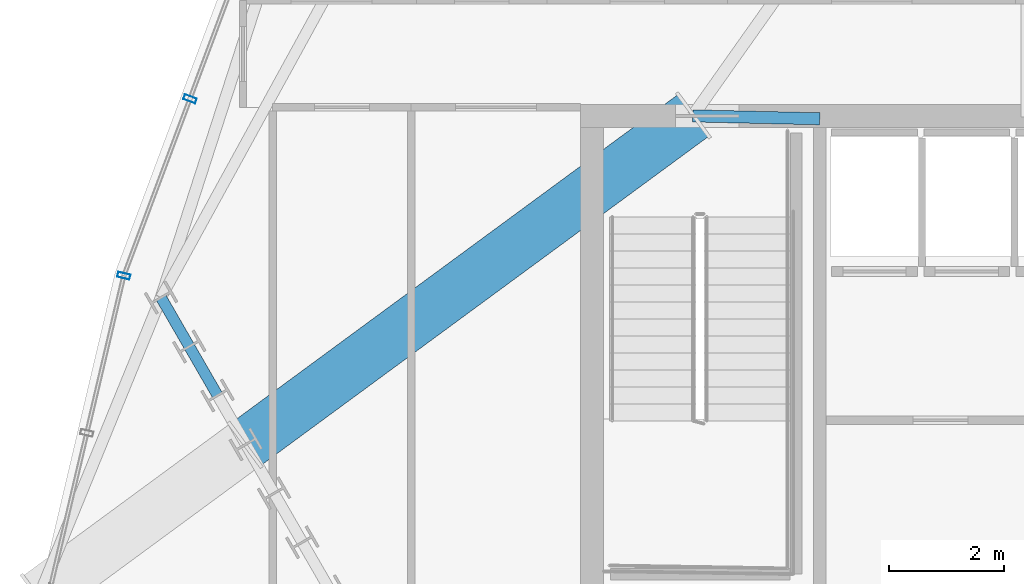
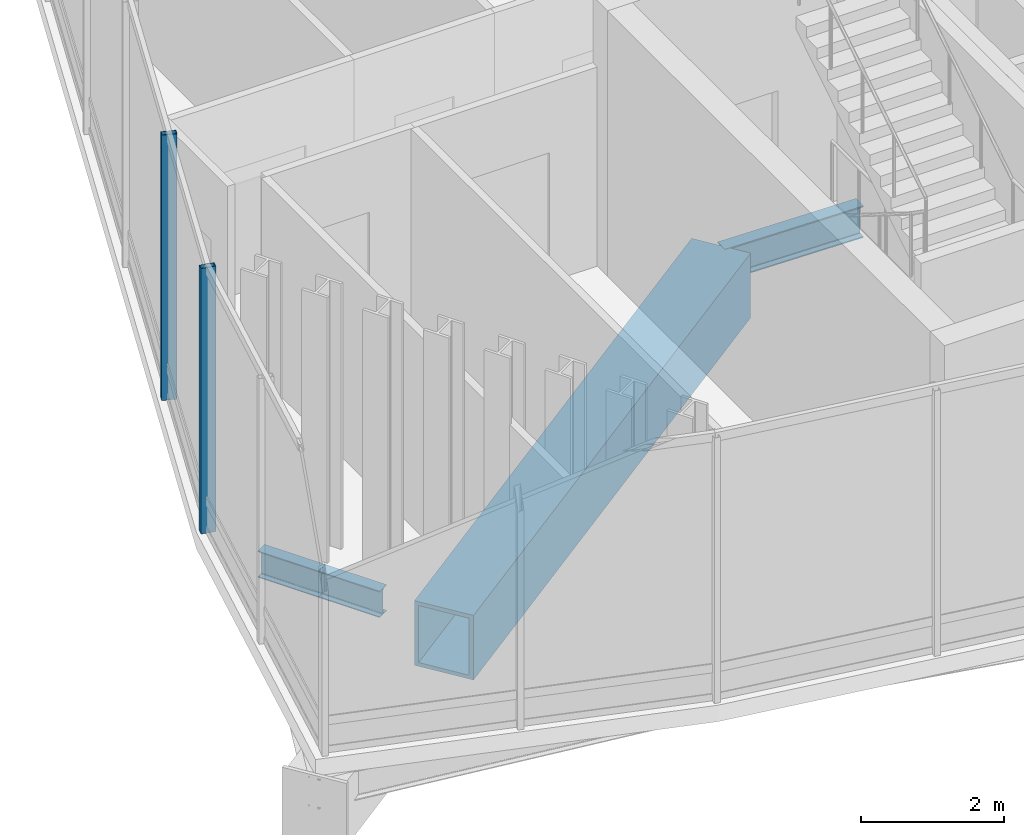
# One storey, part 4 of 29: 4 beams, 2 members, 2 elements without a shape of their own.
"""IFC4 building model written with IfcOpenShell, lengths in metres."""

from ifc_helpers import new_model, si_unit, direction, frame, origin, origin_2d, place, context, subcontext, project, spatial, hollow_rectangle, i_section, extrude, material, layer, layer_set, material_profile, profile_set, type_object, element, aggregate, save


model = new_model("IFC4")

# Units and contexts
model_context = context("Model", 3, precision=1e-05, world=origin(), true_north=direction((0.0, 1.0)))
body_context = subcontext(model_context, "Body", "Model", "MODEL_VIEW")
ifc_project = project(units=[si_unit("LENGTHUNIT", "METRE"), si_unit("AREAUNIT", "SQUARE_METRE"), si_unit("VOLUMEUNIT", "CUBIC_METRE"), si_unit("PLANEANGLEUNIT", "RADIAN"), si_unit("MASSUNIT", "GRAM", prefix="KILO")], contexts=[model_context])

# Site, building, storey
site_placement = place(None, origin())
site = spatial("IfcSite", under=ifc_project, at=site_placement, CompositionType="ELEMENT")
building_placement = place(site_placement, origin())
building = spatial("IfcBuilding", under=site, at=building_placement, Name="Ndaravel Arena Tower", CompositionType="ELEMENT")
storey_placement = place(building_placement, frame((0.0, 0.0, 208.39990234375)))
storey = spatial("IfcBuildingStorey", under=building, at=storey_placement, Name="L50", CompositionType="ELEMENT", Elevation=208.39990234375)

# Beams
ifc_material_1 = material(Name="Steel S355", Category="steel")
ifc_material_profile_1 = material_profile(ifc_material_1, i_section(OverallWidth=0.210693359375, OverallDepth=0.53955078125, WebThickness=0.01171875, FlangeThickness=0.018798828125, FilletRadius=0.0126953125, at=origin_2d()), Name="UB 533x210x109")
ifc_profile_set_1 = profile_set([ifc_material_profile_1], Name="Steel S355")
beam_type_1 = type_object("IfcBeamType", Name="BM-GIRD-UB533", PredefinedType="BEAM", material=ifc_profile_set_1)
beam_1_placement = place(storey_placement, frame((30.60009765625, 14.949951171875, -0.549560546875), z_axis=(-0.999742178526, 0.022706309173, 0.0), x_axis=(-0.022706309173, -0.999742178526, 0.0)))
element("IfcBeam", 1, at=beam_1_placement, inside=storey, type_object=beam_type_1, Name="L50 Star Backspan Anchor Tie SAT1-1", PredefinedType="BEAM", context=body_context, shape_type="SweptSolid", body=[
    extrude(i_section(OverallWidth=0.210693359375, OverallDepth=0.53955078125, WebThickness=0.01171875, FlangeThickness=0.018798828125, FilletRadius=0.0126953125, at=origin_2d()), origin(), (0.0, 0.0, 1.0), 2.2041015625),
])
ifc_material_2 = material(Name="Steel S355", Category="steel")
ifc_material_profile_2 = material_profile(ifc_material_2, i_section(OverallWidth=0.18994140625, OverallDepth=0.449951171875, WebThickness=0.009521484375, FlangeThickness=0.0146484375, FilletRadius=0.02099609375, at=origin_2d()), Name="IPE 450")
ifc_profile_set_2 = profile_set([ifc_material_profile_2], Name="Steel S355")
beam_type_2 = type_object("IfcBeamType", Name="BM-SPAN-IPE450", PredefinedType="SPANDREL", material=ifc_profile_set_2)
for number, where, z_axis, x_axis, name in (
    (2, (19.17138671875, 11.84814453125, -0.5048828125), (0.499995473844, -0.866028016946, 0.0), (0.866028016946, 0.499995473844, 0.0), "L50 Perimeter Spandrel Beam SP-20"),
    (3, (19.66162109375, 10.9990234375, -0.5048828125), (0.499995473844, -0.866028016946, 0.0), (0.866028016946, 0.499995473844, 0.0), "L50 Perimeter Spandrel Beam SP-21"),
):
    element("IfcBeam", number, at=place(storey_placement, frame(where, z_axis=z_axis, x_axis=x_axis)), inside=storey, type_object=beam_type_2, Name=name, PredefinedType="SPANDREL", context=body_context, shape_type="SweptSolid", body=[
        extrude(i_section(OverallWidth=0.18994140625, OverallDepth=0.449951171875, WebThickness=0.009521484375, FlangeThickness=0.0146484375, FilletRadius=0.02099609375, at=origin_2d()), origin(), (0.0, 0.0, 1.0), 0.98046875),
    ])
ifc_material_3 = material(Name="Steel S460", Category="steel")
ifc_material_profile_3 = material_profile(ifc_material_3, hollow_rectangle(XDim=0.89990234375, YDim=1.10009765625, WallThickness=0.06494140625, at=origin_2d()), Name="BOX 1100x900x65")
ifc_profile_set_3 = profile_set([ifc_material_profile_3], Name="Steel S460")
beam_type_3 = type_object("IfcBeamType", Name="BM-STAR-BOX1100", PredefinedType="BEAM", material=ifc_profile_set_3)
beam_2_placement = place(storey_placement, frame((28.396484375, 15.0, -0.829833984375), z_axis=(-0.80577705705, -0.59221899187, 0.0), x_axis=(0.59221899187, -0.80577705705, 0.0)))
element("IfcBeam", 4, at=beam_2_placement, inside=storey, type_object=beam_type_3, Name="L50 Star Cantilever Backspan Girder SBG-1", PredefinedType="BEAM", context=body_context, shape_type="SweptSolid", body=[
    extrude(hollow_rectangle(XDim=0.89990234375, YDim=1.10009765625, WallThickness=0.06494140625, at=origin_2d()), origin(), (0.0, 0.0, 1.0), 9.62353515625),
])

# Curtain wall, member
ifc_material_4 = material(Name="Aluminium", Category="aluminium")
ifc_layer = layer(ifc_material_4, 0.179931640625)
ifc_layer_set = layer_set([ifc_layer], Name="Aluminium")
curtain_wall_type = type_object("IfcCurtainWallType", Name="CW-SYS-04", PredefinedType="NOTDEFINED", material=ifc_layer_set)
curtain_wall_1_placement = place(storey_placement, origin())
curtain_wall_1 = element("IfcCurtainWall", 5, at=curtain_wall_1_placement, inside=storey, type_object=curtain_wall_type, Name="L50 Faceted Crystal Curtain Wall CW-L50-E11", PredefinedType="NOTDEFINED")
ifc_material_5 = material(Name="Aluminium", Category="aluminium")
ifc_material_profile_4 = material_profile(ifc_material_5, hollow_rectangle(XDim=0.090087890625, YDim=0.219970703125, WallThickness=0.0048828125, at=origin_2d()), Name="CW MULLION 90x220x5")
ifc_profile_set_4 = profile_set([ifc_material_profile_4], Name="Aluminium")
member_type = type_object("IfcMemberType", Name="MEM-CW-MUL220", PredefinedType="MULLION", material=ifc_profile_set_4)
member_1_placement = place(storey_placement, frame((19.67333984375, 15.29541015625, 0.0), z_axis=(0.0, 0.0, 1.0), x_axis=(-0.350272772461, -0.936647737878, 0.0)))
member_1 = element("IfcMember", 6, at=member_1_placement, type_object=member_type, Name="CW-L50-E11 Mullion 05", PredefinedType="MULLION", context=body_context, shape_type="SweptSolid", body=[
    extrude(hollow_rectangle(XDim=0.090087890625, YDim=0.219970703125, WallThickness=0.0048828125, at=origin_2d()), origin(), (0.0, 0.0, 1.0), 4.52001953125),
])
aggregate(curtain_wall_1, [member_1])

curtain_wall_2_placement = place(storey_placement, origin())
curtain_wall_2 = element("IfcCurtainWall", 7, at=curtain_wall_2_placement, inside=storey, type_object=curtain_wall_type, Name="L50 Faceted Crystal Curtain Wall CW-L50-E12", PredefinedType="NOTDEFINED")
member_2_placement = place(storey_placement, frame((18.525390625, 12.22607421875, 0.0), z_axis=(0.0, 0.0, 1.0), x_axis=(-0.22921737956, -0.973375258011, 0.0)))
member_2 = element("IfcMember", 8, at=member_2_placement, type_object=member_type, Name="CW-L50-E12 Mullion 00", PredefinedType="MULLION", context=body_context, shape_type="SweptSolid", body=[
    extrude(hollow_rectangle(XDim=0.090087890625, YDim=0.219970703125, WallThickness=0.0048828125, at=origin_2d()), origin(), (0.0, 0.0, 1.0), 4.52001953125),
])
aggregate(curtain_wall_2, [member_2])

save(model, "model.ifc")
